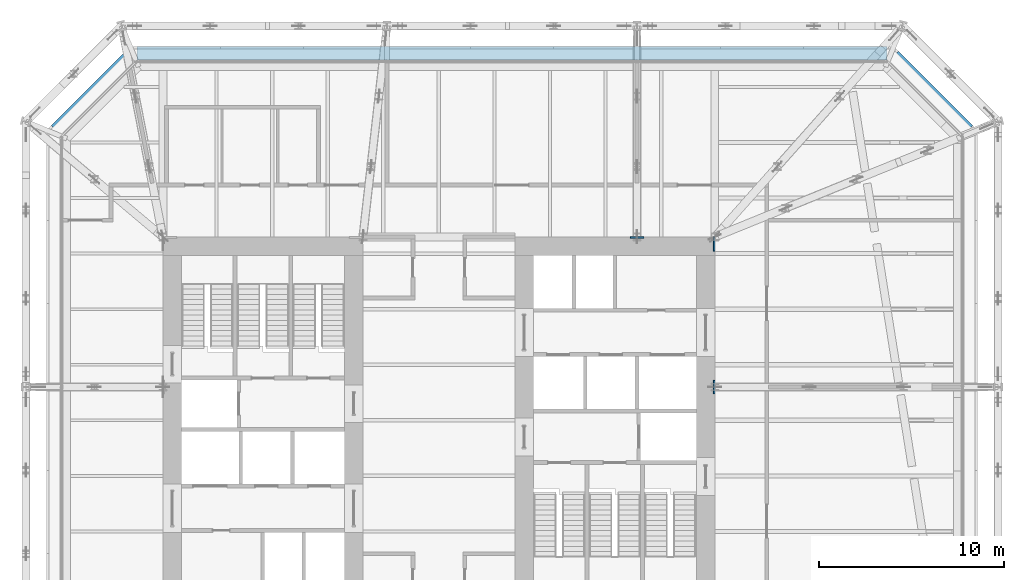
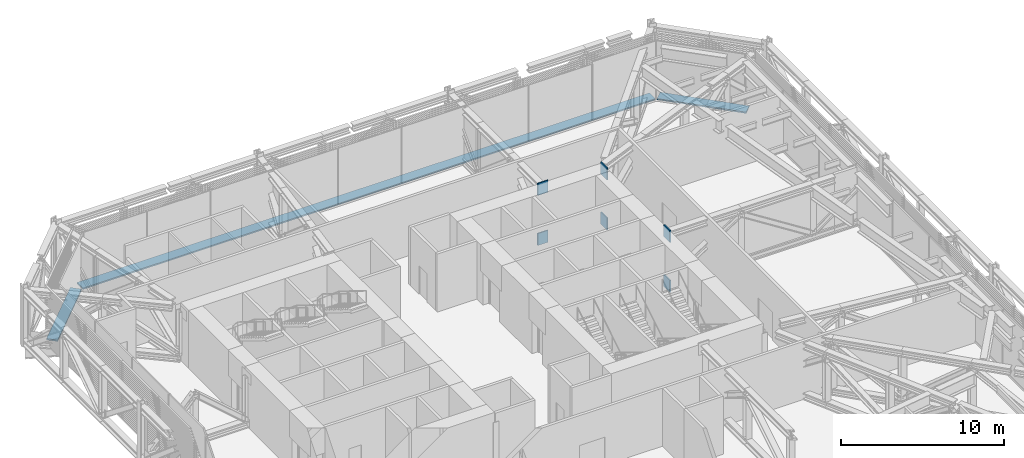
# One storey, part 26 of 31: 9 discrete accessories.
"""IFC4 building model written with IfcOpenShell, lengths in metres."""

import ifcopenshell
import ifcopenshell.guid

model = None  # the IFC model being written
_history = None  # IfcOwnerHistory: only IFC2X3 demands one
_inside = {}  # id of a spatial element -> (the spatial element, [elements in it])
_under = {}  # id of a project, library or spatial element -> (it, [spatial elements below it])
_declared = {}  # id of a project -> (the project, [libraries it declares])
_typed = {}  # id of a type object -> (the type object, [elements of that type])
_made_of = {}  # id of a material, layer set ... -> (it, [elements and type objects made of it])


def new_model(schema):
    """Start an empty IFC model of exactly this schema.

    Asked for "IFC4X3", IfcOpenShell would pick the latest addendum, in which some entities
    have other attributes; the version numbers below select the first issue.
    IFC2X3 requires an IfcOwnerHistory on every rooted entity: one is made here for all.
    """
    global model, _history
    if schema == "IFC4X3":
        model = ifcopenshell.file(schema_version=(4, 3, 0, 0))
    else:
        model = ifcopenshell.file(schema=schema)
    _inside.clear()
    _under.clear()
    _declared.clear()
    _typed.clear()
    _made_of.clear()
    _history = None
    if model.schema == "IFC2X3":
        org = make("IfcOrganization", Name="unknown")
        user = make(
            "IfcPersonAndOrganization",
            ThePerson=make("IfcPerson", FamilyName="unknown"),
            TheOrganization=org,
        )
        app = make(
            "IfcApplication",
            ApplicationDeveloper=org,
            Version="unknown",
            ApplicationFullName="unknown",
            ApplicationIdentifier="unknown",
        )
        _history = make(
            "IfcOwnerHistory",
            OwningUser=user,
            OwningApplication=app,
            ChangeAction="ADDED",
            CreationDate=0,
        )
    return model


def make(cls, **values):
    """One entity of the class cls with the attributes given. An attribute that is None is left unset."""
    return model.create_entity(
        cls, **{name: value for name, value in values.items() if value is not None}
    )


def rooted(cls, **values):
    """An entity with a GlobalId (a new one), such as an element, a storey or a relation."""
    return make(cls, GlobalId=ifcopenshell.guid.new(), OwnerHistory=_history, **values)


def si_unit(unit_type, name, prefix=None):
    """IfcSIUnit, for example si_unit("LENGTHUNIT", "METRE", prefix="MILLI")."""
    return make("IfcSIUnit", UnitType=unit_type, Prefix=prefix, Name=name)


def assignment(units):
    """IfcUnitAssignment: the units of a project."""
    return None if units is None else make("IfcUnitAssignment", Units=units)


def point(xyz):
    """IfcCartesianPoint."""
    return None if xyz is None else make("IfcCartesianPoint", Coordinates=xyz)


def direction(xyz):
    """IfcDirection."""
    return None if xyz is None else make("IfcDirection", DirectionRatios=xyz)


def frame(location, z_axis=None, x_axis=None):
    """IfcAxis2Placement3D, a coordinate frame: its origin and axes. An axis left out is left unset."""
    return make(
        "IfcAxis2Placement3D",
        Location=point(location),
        Axis=direction(z_axis),
        RefDirection=direction(x_axis),
    )


def frame_2d(location, x_axis=None):
    """IfcAxis2Placement2D, a coordinate frame in the plane: its origin and x axis."""
    return make(
        "IfcAxis2Placement2D", Location=point(location), RefDirection=direction(x_axis)
    )


def origin():
    """The frame at (0, 0, 0) with its axes left unset."""
    return frame((0.0, 0.0, 0.0))


def origin_2d():
    """The frame at (0, 0) in the plane with its x axis left unset."""
    return frame_2d((0.0, 0.0))


def place(relative_to, where):
    """IfcLocalPlacement: puts the frame where relative to a parent placement (None: the world)."""
    return make(
        "IfcLocalPlacement", PlacementRelTo=relative_to, RelativePlacement=where
    )


def context(
    kind, dimensions, precision=None, world=None, true_north=None, identifier=None
):
    """IfcGeometricRepresentationContext, for example the 3D "Model" context."""
    return make(
        "IfcGeometricRepresentationContext",
        ContextIdentifier=identifier,
        ContextType=kind,
        CoordinateSpaceDimension=dimensions,
        Precision=precision,
        WorldCoordinateSystem=world,
        TrueNorth=true_north,
    )


def subcontext(parent, identifier, kind, view, scale=None):
    """IfcGeometricRepresentationSubContext, for example "Body" below "Model"."""
    return make(
        "IfcGeometricRepresentationSubContext",
        ContextIdentifier=identifier,
        ContextType=kind,
        ParentContext=parent,
        TargetScale=scale,
        TargetView=view,
    )


def project(units=None, contexts=None):
    """IfcProject with its units and contexts."""
    return rooted(
        "IfcProject",
        Name="project",
        RepresentationContexts=contexts,
        UnitsInContext=assignment(units),
    )


def spatial(cls, under=None, at=None, **own):
    """A site, building, storey or space (cls), placed at a placement, below another one or the project."""
    s = rooted(cls, ObjectPlacement=at, **own)
    if under is not None:
        _under.setdefault(under.id(), (under, []))[1].append(s)
    return s


def profile(cls, at=None, kind="AREA", **sizes):
    """A parametric profile (cls). Its sizes go by their IFC names, for example OverallWidth=200.0."""
    return make(cls, ProfileType=kind, Position=at, **sizes)


def rectangle(**sizes):
    """IfcRectangleProfileDef."""
    return profile("IfcRectangleProfileDef", **sizes)


def extrude(swept, where, along, depth):
    """IfcExtrudedAreaSolid: the profile swept, set in the frame where, extruded along a direction by depth."""
    return make(
        "IfcExtrudedAreaSolid",
        SweptArea=swept,
        Position=where,
        ExtrudedDirection=direction(along),
        Depth=depth,
    )


def shape(context_of_items, identifier, shape_type, items):
    """IfcShapeRepresentation: the items that make up one representation, for example the "Body"."""
    return make(
        "IfcShapeRepresentation",
        ContextOfItems=context_of_items,
        RepresentationIdentifier=identifier,
        RepresentationType=shape_type,
        Items=items,
    )


def material(Name=None, Category=None):
    """IfcMaterial."""
    return make("IfcMaterial", Name=Name, Category=Category)


def layer(
    of_material, thickness, ventilated=None, Name=None, Category=None, Priority=None
):
    """IfcMaterialLayer: one layer of a wall or slab, of a material (None: an air gap)."""
    return make(
        "IfcMaterialLayer",
        Material=of_material,
        LayerThickness=thickness,
        IsVentilated=ventilated,
        Name=Name,
        Category=Category,
        Priority=Priority,
    )


def layer_set(layers, Name=None):
    """IfcMaterialLayerSet."""
    return make("IfcMaterialLayerSet", MaterialLayers=layers, LayerSetName=Name)


def made_of(thing, what):
    """Note that an element or type object is made of a material, layer set ...; save() writes the relation."""
    if what is not None:
        _made_of.setdefault(what.id(), (what, []))[1].append(thing)
    return thing


def type_object(cls, material=None, **own):
    """A type object (cls), such as IfcWallType, which elements share."""
    return made_of(rooted(cls, **own), material)


def element(
    cls,
    number,
    at=None,
    inside=None,
    cuts=None,
    type_object=None,
    material=None,
    context=None,
    identifier="Body",
    shape_type=None,
    held_by="IfcProductDefinitionShape",
    body=None,
    shapes=None,
    **own,
):
    """One element of the class cls, such as IfcWall. Its Tag is "e" and its number.

    at: its placement. inside: the storey or other place that contains it. cuts: it is an
    opening in that element (IfcRelVoidsElement). A single representation is given by context,
    identifier, shape_type and body (its items); several are given by shapes. held_by: the class
    of the entity that holds the representations. save() writes the other relations.
    """
    e = rooted(cls, Tag="e%d" % number, ObjectPlacement=at, **own)
    if body is not None:
        shapes = [shape(context, identifier, shape_type, body)]
    if shapes is not None:
        e.Representation = make(held_by, Representations=shapes)
    if inside is not None:
        _inside.setdefault(inside.id(), (inside, []))[1].append(e)
    if cuts is not None:
        rooted(
            "IfcRelVoidsElement", RelatingBuildingElement=cuts, RelatedOpeningElement=e
        )
    if type_object is not None:
        _typed.setdefault(type_object.id(), (type_object, []))[1].append(e)
    return made_of(e, material)


def aggregate(whole, parts):
    """IfcRelAggregates: a whole, such as a stair, and the parts it consists of."""
    return rooted("IfcRelAggregates", RelatingObject=whole, RelatedObjects=parts)


def save(model, path):
    """Write the relations noted so far, then the file.

    IfcRelAggregates (storeys below a building ...), IfcRelContainedInSpatialStructure (elements
    in a storey), IfcRelDefinesByType, IfcRelAssociatesMaterial and IfcRelDeclares: one each for
    every whole, place, type object, material and project.
    """
    for whole, parts in _under.values():
        aggregate(whole, parts)
    for where, things in _inside.values():
        rooted(
            "IfcRelContainedInSpatialStructure",
            RelatedElements=things,
            RelatingStructure=where,
        )
    for kind, things in _typed.values():
        rooted("IfcRelDefinesByType", RelatedObjects=things, RelatingType=kind)
    for what, things in _made_of.values():
        rooted("IfcRelAssociatesMaterial", RelatedObjects=things, RelatingMaterial=what)
    for by, libraries in _declared.values():
        rooted("IfcRelDeclares", RelatingContext=by, RelatedDefinitions=libraries)
    model.write(path)


model = new_model("IFC4")

# Units and contexts
model_context = context("Model", 3, precision=1e-05, world=origin(), true_north=direction((0.0, 1.0)))
body_context = subcontext(model_context, "Body", "Model", "MODEL_VIEW")
ifc_project = project(units=[si_unit("LENGTHUNIT", "METRE"), si_unit("AREAUNIT", "SQUARE_METRE"), si_unit("VOLUMEUNIT", "CUBIC_METRE"), si_unit("PLANEANGLEUNIT", "RADIAN"), si_unit("MASSUNIT", "GRAM", prefix="KILO")], contexts=[model_context])

# Site, building, storey
site_placement = place(None, origin())
site = spatial("IfcSite", under=ifc_project, at=site_placement, CompositionType="ELEMENT")
building_placement = place(site_placement, origin())
building = spatial("IfcBuilding", under=site, at=building_placement, Name="Millrace Tower", CompositionType="ELEMENT")
storey_placement = place(building_placement, frame((0.0, 0.0, 120.39990234375)))
storey = spatial("IfcBuildingStorey", under=building, at=storey_placement, Name="L26", CompositionType="ELEMENT", Elevation=120.39990234375)

# Discrete accessories
ifc_material_1 = material(Name="Steel ASTM A572 Grade 50", Category="steel")
ifc_layer_1 = layer(ifc_material_1, 0.074951171875)
ifc_layer_set_1 = layer_set([ifc_layer_1], Name="Steel ASTM A572 Grade 50")
discrete_accessory_type_1 = type_object("IfcDiscreteAccessoryType", Name="Cast-in anchor plate 735x900x75", PredefinedType="ANCHORPLATE", material=ifc_layer_set_1)
for number, where, z_axis, x_axis, name in (
    (1, (14.824951171875, 1.800048828125, 0.2490234375), (1.0, 0.0, 0.0), (0.0, 1.0, 0.0), "Cast-in anchor plate BLT-L26-O08-B01"),
    (2, (14.824951171875, 1.800048828125, 3.9912109375), (1.0, 0.0, 0.0), (0.0, 1.0, 0.0), "Cast-in anchor plate BLT-L26-O08-T01"),
    (3, (10.699951171875, 9.824951171875, 0.2490234375), (0.0, 1.0, 0.0), (-1.0, 0.0, 0.0), "Cast-in anchor plate BLT-L26-O11-B01"),
    (4, (10.699951171875, 9.824951171875, 3.9912109375), (0.0, 1.0, 0.0), (-1.0, 0.0, 0.0), "Cast-in anchor plate BLT-L26-O11-T01"),
):
    element("IfcDiscreteAccessory", number, at=place(storey_placement, frame(where, z_axis=z_axis, x_axis=x_axis)), inside=storey, type_object=discrete_accessory_type_1, Name=name, PredefinedType="ANCHORPLATE", context=body_context, shape_type="SweptSolid", body=[
        extrude(rectangle(XDim=0.735107421875, YDim=0.89990234375, at=origin_2d()), origin(), (0.0, 0.0, 1.0), 0.074951171875),
    ])
ifc_material_2 = material(Name="Steel ASTM A572 Grade 50", Category="steel")
ifc_layer_2 = layer(ifc_material_2, 0.074951171875)
ifc_layer_set_2 = layer_set([ifc_layer_2], Name="Steel ASTM A572 Grade 50")
discrete_accessory_type_2 = type_object("IfcDiscreteAccessoryType", Name="Cast-in anchor plate 770x900x75", PredefinedType="ANCHORPLATE", material=ifc_layer_set_2)
for number, where, z_axis, x_axis, name in (
    (5, (14.824951171875, 9.514892578125, 0.2490234375), (1.0, 0.0, 0.0), (0.0, 1.0, 0.0), "Cast-in anchor plate BLT-L26-O09-B01"),
    (6, (14.824951171875, 9.514892578125, 3.9912109375), (1.0, 0.0, 0.0), (0.0, 1.0, 0.0), "Cast-in anchor plate BLT-L26-O09-T01"),
):
    element("IfcDiscreteAccessory", number, at=place(storey_placement, frame(where, z_axis=z_axis, x_axis=x_axis)), inside=storey, type_object=discrete_accessory_type_2, Name=name, PredefinedType="ANCHORPLATE", context=body_context, shape_type="SweptSolid", body=[
        extrude(rectangle(XDim=0.77001953125, YDim=0.89990234375, at=origin_2d()), origin(), (0.0, 0.0, 1.0), 0.074951171875),
    ])
ifc_material_3 = material(Name="Stainless steel ASTM A240 type 316", Category="steel")
discrete_accessory_type_3 = type_object("IfcDiscreteAccessoryType", Name="Thermally broken screen support rail", PredefinedType="BRACKET", material=ifc_material_3)
discrete_accessory_1_placement = place(storey_placement, frame((26.560546875, 17.66064453125, 0.0), z_axis=(0.0, 0.0, 1.0), x_axis=(-0.707106781187, 0.707106781187, 0.0)))
element("IfcDiscreteAccessory", 7, at=discrete_accessory_1_placement, inside=storey, type_object=discrete_accessory_type_3, Name="Thermally broken screen support rail B-F05 L26 1", PredefinedType="BRACKET", context=body_context, shape_type="SweptSolid", body=[
    extrude(rectangle(XDim=5.65673828125, YDim=0.719970703125, at=origin_2d()), origin(), (0.0, 0.0, 1.0), 0.10009765625),
])
discrete_accessory_2_placement = place(storey_placement, frame((3.949951171875, 19.81005859375, 0.0), z_axis=(0.0, 0.0, 1.0), x_axis=(-1.0, 0.0, 0.0)))
element("IfcDiscreteAccessory", 8, at=discrete_accessory_2_placement, inside=storey, type_object=discrete_accessory_type_3, Name="Thermally broken screen support rail B-F06 L26 1", PredefinedType="BRACKET", context=body_context, shape_type="SweptSolid", body=[
    extrude(rectangle(XDim=40.5, YDim=0.719970703125, at=origin_2d()), origin(), (0.0, 0.0, 1.0), 0.10009765625),
])
discrete_accessory_3_placement = place(storey_placement, frame((-18.66064453125, 17.66064453125, 0.0), z_axis=(0.0, 0.0, 1.0), x_axis=(-0.707106781187, -0.707106781187, 0.0)))
element("IfcDiscreteAccessory", 9, at=discrete_accessory_3_placement, inside=storey, type_object=discrete_accessory_type_3, Name="Thermally broken screen support rail B-F07 L26 1", PredefinedType="BRACKET", context=body_context, shape_type="SweptSolid", body=[
    extrude(rectangle(XDim=5.65673828125, YDim=0.719970703125, at=origin_2d()), origin(), (0.0, 0.0, 1.0), 0.10009765625),
])

save(model, "model.ifc")
